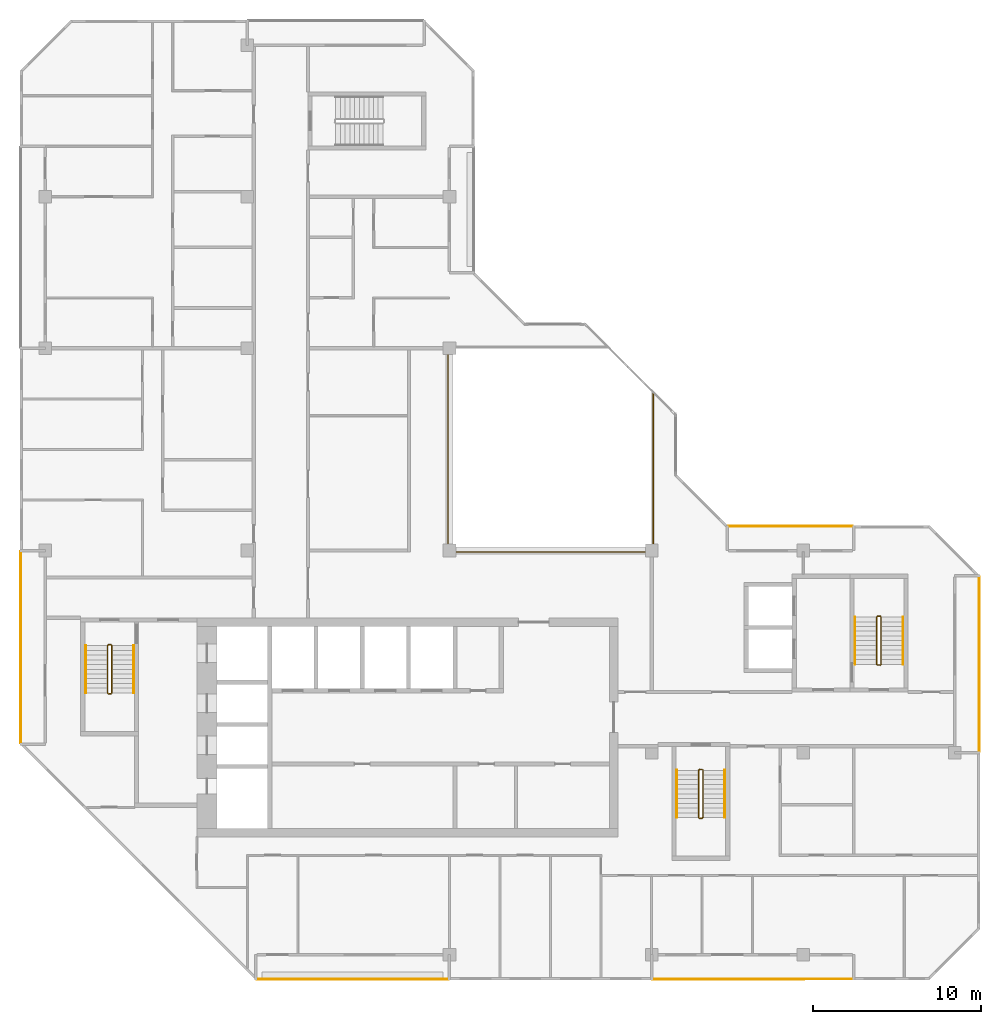
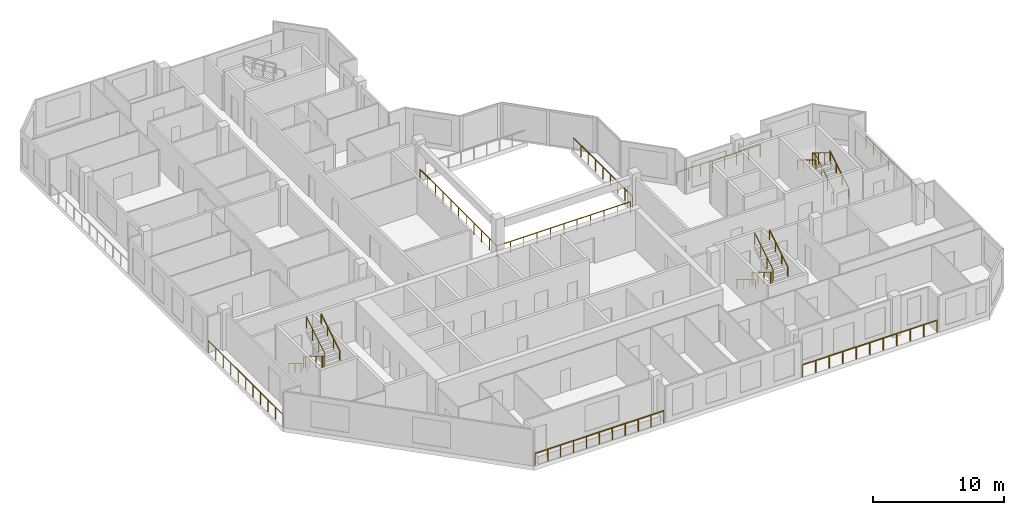
# One storey, part 11 of 12: 16 railings.
"""IFC4 building model written with IfcOpenShell, lengths in metres."""

from ifc_helpers import new_model, si_unit, direction, frame, origin, origin_2d, place, context, subcontext, project, spatial, rectangle, extrude, material, type_object, element, save


model = new_model("IFC4")

# Units and contexts
model_context = context("Model", 3, precision=1e-05, world=origin(), true_north=direction((0.0, 1.0)))
body_context = subcontext(model_context, "Body", "Model", "MODEL_VIEW")
ifc_project = project(units=[si_unit("LENGTHUNIT", "METRE"), si_unit("AREAUNIT", "SQUARE_METRE"), si_unit("VOLUMEUNIT", "CUBIC_METRE"), si_unit("PLANEANGLEUNIT", "RADIAN"), si_unit("MASSUNIT", "GRAM", prefix="KILO")], contexts=[model_context])

# Site, building, storey
site_placement = place(None, origin())
site = spatial("IfcSite", under=ifc_project, at=site_placement, CompositionType="ELEMENT")
building_placement = place(site_placement, origin())
building = spatial("IfcBuilding", under=site, at=building_placement, Name="Chenar Terraces", CompositionType="ELEMENT")
storey_placement = place(building_placement, frame((0.0, 0.0, 365.14990234375)))
storey = spatial("IfcBuildingStorey", under=building, at=storey_placement, Name="L85", CompositionType="ELEMENT", Elevation=365.14990234375)

# Railings
ifc_material_1 = material(Name="Powder-coated steel", Category="steel")
railing_type_1 = type_object("IfcRailingType", Name="Guard 1100 steel rail with glass infill", PredefinedType="GUARDRAIL", material=ifc_material_1)
railing_1_placement = place(storey_placement, frame((23.89990234375, 35.625, 0.0)))
element("IfcRailing", 1, at=railing_1_placement, inside=storey, type_object=railing_type_1, Name="Guard L85-1", PredefinedType="GUARDRAIL", context=body_context, shape_type="SweptSolid", body=[
    extrude(rectangle(XDim=0.06005859375, YDim=0.06005859375, at=origin_2d()), frame((0.0, 0.0, 1.070068359375), z_axis=(0.0, -1.0, 0.0), x_axis=(1.0, 0.0, 0.0)), (0.0, 0.0, 1.0), 11.72509765625),
    extrude(rectangle(XDim=0.06005859375, YDim=0.06005859375, at=origin_2d()), frame((0.0, -11.72509765625, 1.070068359375), z_axis=(1.0, 0.0, 0.0), x_axis=(0.0, 1.0, 0.0)), (0.0, 0.0, 1.0), 11.72509765625),
    extrude(rectangle(XDim=0.050048828125, YDim=0.050048828125, at=origin_2d()), origin(), (0.0, 0.0, 1.0), 1.0400390625),
    extrude(rectangle(XDim=0.050048828125, YDim=0.050048828125, at=origin_2d()), frame((0.0, -1.172607421875, 0.0)), (0.0, 0.0, 1.0), 1.0400390625),
    extrude(rectangle(XDim=0.050048828125, YDim=0.050048828125, at=origin_2d()), frame((0.0, -2.344970703125, 0.0)), (0.0, 0.0, 1.0), 1.0400390625),
    extrude(rectangle(XDim=0.050048828125, YDim=0.050048828125, at=origin_2d()), frame((0.0, -3.517578125, 0.0)), (0.0, 0.0, 1.0), 1.0400390625),
    extrude(rectangle(XDim=0.050048828125, YDim=0.050048828125, at=origin_2d()), frame((0.0, -4.68994140625, 0.0)), (0.0, 0.0, 1.0), 1.0400390625),
    extrude(rectangle(XDim=0.050048828125, YDim=0.050048828125, at=origin_2d()), frame((0.0, -5.862548828125, 0.0)), (0.0, 0.0, 1.0), 1.0400390625),
    extrude(rectangle(XDim=0.050048828125, YDim=0.050048828125, at=origin_2d()), frame((0.0, -7.03515625, 0.0)), (0.0, 0.0, 1.0), 1.0400390625),
    extrude(rectangle(XDim=0.050048828125, YDim=0.050048828125, at=origin_2d()), frame((0.0, -8.20751953125, 0.0)), (0.0, 0.0, 1.0), 1.0400390625),
    extrude(rectangle(XDim=0.050048828125, YDim=0.050048828125, at=origin_2d()), frame((0.0, -9.380126953125, 0.0)), (0.0, 0.0, 1.0), 1.0400390625),
    extrude(rectangle(XDim=0.050048828125, YDim=0.050048828125, at=origin_2d()), frame((0.0, -10.552490234375, 0.0)), (0.0, 0.0, 1.0), 1.0400390625),
    extrude(rectangle(XDim=0.050048828125, YDim=0.050048828125, at=origin_2d()), frame((0.0, -11.72509765625, 0.0)), (0.0, 0.0, 1.0), 1.0400390625),
    extrude(rectangle(XDim=0.050048828125, YDim=0.050048828125, at=origin_2d()), frame((1.172607421875, -11.72509765625, 0.0)), (0.0, 0.0, 1.0), 1.0400390625),
    extrude(rectangle(XDim=0.050048828125, YDim=0.050048828125, at=origin_2d()), frame((2.344970703125, -11.72509765625, 0.0)), (0.0, 0.0, 1.0), 1.0400390625),
    extrude(rectangle(XDim=0.050048828125, YDim=0.050048828125, at=origin_2d()), frame((3.517578125, -11.72509765625, 0.0)), (0.0, 0.0, 1.0), 1.0400390625),
    extrude(rectangle(XDim=0.050048828125, YDim=0.050048828125, at=origin_2d()), frame((4.68994140625, -11.72509765625, 0.0)), (0.0, 0.0, 1.0), 1.0400390625),
    extrude(rectangle(XDim=0.050048828125, YDim=0.050048828125, at=origin_2d()), frame((5.862548828125, -11.72509765625, 0.0)), (0.0, 0.0, 1.0), 1.0400390625),
    extrude(rectangle(XDim=0.050048828125, YDim=0.050048828125, at=origin_2d()), frame((7.03515625, -11.72509765625, 0.0)), (0.0, 0.0, 1.0), 1.0400390625),
    extrude(rectangle(XDim=0.050048828125, YDim=0.050048828125, at=origin_2d()), frame((8.20751953125, -11.72509765625, 0.0)), (0.0, 0.0, 1.0), 1.0400390625),
    extrude(rectangle(XDim=0.050048828125, YDim=0.050048828125, at=origin_2d()), frame((9.380126953125, -11.72509765625, 0.0)), (0.0, 0.0, 1.0), 1.0400390625),
    extrude(rectangle(XDim=0.050048828125, YDim=0.050048828125, at=origin_2d()), frame((10.552490234375, -11.72509765625, 0.0)), (0.0, 0.0, 1.0), 1.0400390625),
    extrude(rectangle(XDim=0.050048828125, YDim=0.050048828125, at=origin_2d()), frame((11.72509765625, -11.72509765625, 0.0)), (0.0, 0.0, 1.0), 1.0400390625),
])
railing_2_placement = place(storey_placement, frame((36.10009765625, 24.425048828125, 0.0)))
element("IfcRailing", 2, at=railing_2_placement, inside=storey, type_object=railing_type_1, Name="Guard L85-3", PredefinedType="GUARDRAIL", context=body_context, shape_type="SweptSolid", body=[
    extrude(rectangle(XDim=0.06005859375, YDim=0.06005859375, at=origin_2d()), frame((0.0, 0.0, 1.070068359375), z_axis=(0.0, 1.0, 0.0), x_axis=(-1.0, 0.0, 0.0)), (0.0, 0.0, 1.0), 8.974853515625),
    extrude(rectangle(XDim=0.050048828125, YDim=0.050048828125, at=origin_2d()), origin(), (0.0, 0.0, 1.0), 1.0400390625),
    extrude(rectangle(XDim=0.050048828125, YDim=0.050048828125, at=origin_2d()), frame((0.0, 1.121826171875, 0.0)), (0.0, 0.0, 1.0), 1.0400390625),
    extrude(rectangle(XDim=0.050048828125, YDim=0.050048828125, at=origin_2d()), frame((0.0, 2.24365234375, 0.0)), (0.0, 0.0, 1.0), 1.0400390625),
    extrude(rectangle(XDim=0.050048828125, YDim=0.050048828125, at=origin_2d()), frame((0.0, 3.365478515625, 0.0)), (0.0, 0.0, 1.0), 1.0400390625),
    extrude(rectangle(XDim=0.050048828125, YDim=0.050048828125, at=origin_2d()), frame((0.0, 4.4873046875, 0.0)), (0.0, 0.0, 1.0), 1.0400390625),
    extrude(rectangle(XDim=0.050048828125, YDim=0.050048828125, at=origin_2d()), frame((0.0, 5.609375, 0.0)), (0.0, 0.0, 1.0), 1.0400390625),
    extrude(rectangle(XDim=0.050048828125, YDim=0.050048828125, at=origin_2d()), frame((0.0, 6.731201171875, 0.0)), (0.0, 0.0, 1.0), 1.0400390625),
    extrude(rectangle(XDim=0.050048828125, YDim=0.050048828125, at=origin_2d()), frame((0.0, 7.85302734375, 0.0)), (0.0, 0.0, 1.0), 1.0400390625),
    extrude(rectangle(XDim=0.050048828125, YDim=0.050048828125, at=origin_2d()), frame((0.0, 8.974853515625, 0.0)), (0.0, 0.0, 1.0), 1.0400390625),
])
ifc_material_2 = material(Name="Stainless steel and glass", Category="steel")
railing_type_2 = type_object("IfcRailingType", Name="Loggia guard 1150", PredefinedType="GUARDRAIL", material=ifc_material_2)
railing_3_placement = place(storey_placement, frame((55.449951171875, 12.074951171875, 0.0)))
element("IfcRailing", 3, at=railing_3_placement, inside=storey, type_object=railing_type_2, Name="Loggia guard", PredefinedType="GUARDRAIL", context=body_context, shape_type="SweptSolid", body=[
    extrude(rectangle(XDim=0.048095703125, YDim=0.048095703125, at=origin_2d()), frame((0.0, 0.0, 1.1259765625), z_axis=(0.0, 1.0, 0.0), x_axis=(-1.0, 0.0, 0.0)), (0.0, 0.0, 1.0), 10.35009765625),
    extrude(rectangle(XDim=0.0419921875, YDim=0.0419921875, at=origin_2d()), origin(), (0.0, 0.0, 1.0), 1.101806640625),
    extrude(rectangle(XDim=0.0419921875, YDim=0.0419921875, at=origin_2d()), frame((0.0, 1.14990234375, 0.0)), (0.0, 0.0, 1.0), 1.101806640625),
    extrude(rectangle(XDim=0.0419921875, YDim=0.0419921875, at=origin_2d()), frame((0.0, 2.300048828125, 0.0)), (0.0, 0.0, 1.0), 1.101806640625),
    extrude(rectangle(XDim=0.0419921875, YDim=0.0419921875, at=origin_2d()), frame((0.0, 3.449951171875, 0.0)), (0.0, 0.0, 1.0), 1.101806640625),
    extrude(rectangle(XDim=0.0419921875, YDim=0.0419921875, at=origin_2d()), frame((0.0, 4.60009765625, 0.0)), (0.0, 0.0, 1.0), 1.101806640625),
    extrude(rectangle(XDim=0.0419921875, YDim=0.0419921875, at=origin_2d()), frame((0.0, 5.75, 0.0)), (0.0, 0.0, 1.0), 1.101806640625),
    extrude(rectangle(XDim=0.0419921875, YDim=0.0419921875, at=origin_2d()), frame((0.0, 6.900146484375, 0.0)), (0.0, 0.0, 1.0), 1.101806640625),
    extrude(rectangle(XDim=0.0419921875, YDim=0.0419921875, at=origin_2d()), frame((0.0, 8.050048828125, 0.0)), (0.0, 0.0, 1.0), 1.101806640625),
    extrude(rectangle(XDim=0.0419921875, YDim=0.0419921875, at=origin_2d()), frame((0.0, 9.2001953125, 0.0)), (0.0, 0.0, 1.0), 1.101806640625),
    extrude(rectangle(XDim=0.0419921875, YDim=0.0419921875, at=origin_2d()), frame((0.0, 10.35009765625, 0.0)), (0.0, 0.0, 1.0), 1.101806640625),
])
railing_4_placement = place(storey_placement, frame((47.925048828125, 25.449951171875, 0.0)))
element("IfcRailing", 4, at=railing_4_placement, inside=storey, type_object=railing_type_2, Name="Loggia guard", PredefinedType="GUARDRAIL", context=body_context, shape_type="SweptSolid", body=[
    extrude(rectangle(XDim=0.048095703125, YDim=0.048095703125, at=origin_2d()), frame((0.0, 0.0, 1.1259765625), z_axis=(-1.0, 0.0, 0.0), x_axis=(0.0, -1.0, 0.0)), (0.0, 0.0, 1.0), 7.35009765625),
    extrude(rectangle(XDim=0.0419921875, YDim=0.0419921875, at=origin_2d()), origin(), (0.0, 0.0, 1.0), 1.101806640625),
    extrude(rectangle(XDim=0.0419921875, YDim=0.0419921875, at=origin_2d()), frame((-1.050048828125, 0.0, 0.0)), (0.0, 0.0, 1.0), 1.101806640625),
    extrude(rectangle(XDim=0.0419921875, YDim=0.0419921875, at=origin_2d()), frame((-2.10009765625, 0.0, 0.0)), (0.0, 0.0, 1.0), 1.101806640625),
    extrude(rectangle(XDim=0.0419921875, YDim=0.0419921875, at=origin_2d()), frame((-3.150146484375, 0.0, 0.0)), (0.0, 0.0, 1.0), 1.101806640625),
    extrude(rectangle(XDim=0.0419921875, YDim=0.0419921875, at=origin_2d()), frame((-4.199951171875, 0.0, 0.0)), (0.0, 0.0, 1.0), 1.101806640625),
    extrude(rectangle(XDim=0.0419921875, YDim=0.0419921875, at=origin_2d()), frame((-5.25, 0.0, 0.0)), (0.0, 0.0, 1.0), 1.101806640625),
    extrude(rectangle(XDim=0.0419921875, YDim=0.0419921875, at=origin_2d()), frame((-6.300048828125, 0.0, 0.0)), (0.0, 0.0, 1.0), 1.101806640625),
    extrude(rectangle(XDim=0.0419921875, YDim=0.0419921875, at=origin_2d()), frame((-7.35009765625, 0.0, 0.0)), (0.0, 0.0, 1.0), 1.101806640625),
])
railing_5_placement = place(storey_placement, frame((12.574951171875, -1.449951171875, 0.0)))
element("IfcRailing", 5, at=railing_5_placement, inside=storey, type_object=railing_type_2, Name="Loggia guard", PredefinedType="GUARDRAIL", context=body_context, shape_type="SweptSolid", body=[
    extrude(rectangle(XDim=0.048095703125, YDim=0.048095703125, at=origin_2d()), frame((0.0, 0.0, 1.1259765625), z_axis=(1.0, 0.0, 0.0), x_axis=(0.0, 1.0, 0.0)), (0.0, 0.0, 1.0), 11.35009765625),
    extrude(rectangle(XDim=0.0419921875, YDim=0.0419921875, at=origin_2d()), origin(), (0.0, 0.0, 1.0), 1.101806640625),
    extrude(rectangle(XDim=0.0419921875, YDim=0.0419921875, at=origin_2d()), frame((1.135009765625, 0.0, 0.0)), (0.0, 0.0, 1.0), 1.101806640625),
    extrude(rectangle(XDim=0.0419921875, YDim=0.0419921875, at=origin_2d()), frame((2.27001953125, 0.0, 0.0)), (0.0, 0.0, 1.0), 1.101806640625),
    extrude(rectangle(XDim=0.0419921875, YDim=0.0419921875, at=origin_2d()), frame((3.405029296875, 0.0, 0.0)), (0.0, 0.0, 1.0), 1.101806640625),
    extrude(rectangle(XDim=0.0419921875, YDim=0.0419921875, at=origin_2d()), frame((4.5400390625, 0.0, 0.0)), (0.0, 0.0, 1.0), 1.101806640625),
    extrude(rectangle(XDim=0.0419921875, YDim=0.0419921875, at=origin_2d()), frame((5.675048828125, 0.0, 0.0)), (0.0, 0.0, 1.0), 1.101806640625),
    extrude(rectangle(XDim=0.0419921875, YDim=0.0419921875, at=origin_2d()), frame((6.81005859375, 0.0, 0.0)), (0.0, 0.0, 1.0), 1.101806640625),
    extrude(rectangle(XDim=0.0419921875, YDim=0.0419921875, at=origin_2d()), frame((7.945068359375, 0.0, 0.0)), (0.0, 0.0, 1.0), 1.101806640625),
    extrude(rectangle(XDim=0.0419921875, YDim=0.0419921875, at=origin_2d()), frame((9.080078125, 0.0, 0.0)), (0.0, 0.0, 1.0), 1.101806640625),
    extrude(rectangle(XDim=0.0419921875, YDim=0.0419921875, at=origin_2d()), frame((10.215087890625, 0.0, 0.0)), (0.0, 0.0, 1.0), 1.101806640625),
    extrude(rectangle(XDim=0.0419921875, YDim=0.0419921875, at=origin_2d()), frame((11.35009765625, 0.0, 0.0)), (0.0, 0.0, 1.0), 1.101806640625),
])
railing_6_placement = place(storey_placement, frame((36.074951171875, -1.449951171875, 0.0)))
element("IfcRailing", 6, at=railing_6_placement, inside=storey, type_object=railing_type_2, Name="Loggia guard", PredefinedType="GUARDRAIL", context=body_context, shape_type="SweptSolid", body=[
    extrude(rectangle(XDim=0.048095703125, YDim=0.048095703125, at=origin_2d()), frame((0.0, 0.0, 1.1259765625), z_axis=(1.0, 0.0, 0.0), x_axis=(0.0, 1.0, 0.0)), (0.0, 0.0, 1.0), 11.85009765625),
    extrude(rectangle(XDim=0.0419921875, YDim=0.0419921875, at=origin_2d()), origin(), (0.0, 0.0, 1.0), 1.101806640625),
    extrude(rectangle(XDim=0.0419921875, YDim=0.0419921875, at=origin_2d()), frame((1.18505859375, 0.0, 0.0)), (0.0, 0.0, 1.0), 1.101806640625),
    extrude(rectangle(XDim=0.0419921875, YDim=0.0419921875, at=origin_2d()), frame((2.3701171875, 0.0, 0.0)), (0.0, 0.0, 1.0), 1.101806640625),
    extrude(rectangle(XDim=0.0419921875, YDim=0.0419921875, at=origin_2d()), frame((3.554931640625, 0.0, 0.0)), (0.0, 0.0, 1.0), 1.101806640625),
    extrude(rectangle(XDim=0.0419921875, YDim=0.0419921875, at=origin_2d()), frame((4.739990234375, 0.0, 0.0)), (0.0, 0.0, 1.0), 1.101806640625),
    extrude(rectangle(XDim=0.0419921875, YDim=0.0419921875, at=origin_2d()), frame((5.925048828125, 0.0, 0.0)), (0.0, 0.0, 1.0), 1.101806640625),
    extrude(rectangle(XDim=0.0419921875, YDim=0.0419921875, at=origin_2d()), frame((7.110107421875, 0.0, 0.0)), (0.0, 0.0, 1.0), 1.101806640625),
    extrude(rectangle(XDim=0.0419921875, YDim=0.0419921875, at=origin_2d()), frame((8.295166015625, 0.0, 0.0)), (0.0, 0.0, 1.0), 1.101806640625),
    extrude(rectangle(XDim=0.0419921875, YDim=0.0419921875, at=origin_2d()), frame((9.47998046875, 0.0, 0.0)), (0.0, 0.0, 1.0), 1.101806640625),
    extrude(rectangle(XDim=0.0419921875, YDim=0.0419921875, at=origin_2d()), frame((10.6650390625, 0.0, 0.0)), (0.0, 0.0, 1.0), 1.101806640625),
    extrude(rectangle(XDim=0.0419921875, YDim=0.0419921875, at=origin_2d()), frame((11.85009765625, 0.0, 0.0)), (0.0, 0.0, 1.0), 1.101806640625),
])
railing_7_placement = place(storey_placement, frame((-1.449951171875, 23.925048828125, 0.0)))
element("IfcRailing", 7, at=railing_7_placement, inside=storey, type_object=railing_type_2, Name="Loggia guard", PredefinedType="GUARDRAIL", context=body_context, shape_type="SweptSolid", body=[
    extrude(rectangle(XDim=0.048095703125, YDim=0.048095703125, at=origin_2d()), frame((0.0, 0.0, 1.1259765625), z_axis=(0.0, -1.0, 0.0), x_axis=(1.0, 0.0, 0.0)), (0.0, 0.0, 1.0), 11.35009765625),
    extrude(rectangle(XDim=0.0419921875, YDim=0.0419921875, at=origin_2d()), origin(), (0.0, 0.0, 1.0), 1.101806640625),
    extrude(rectangle(XDim=0.0419921875, YDim=0.0419921875, at=origin_2d()), frame((0.0, -1.135009765625, 0.0)), (0.0, 0.0, 1.0), 1.101806640625),
    extrude(rectangle(XDim=0.0419921875, YDim=0.0419921875, at=origin_2d()), frame((0.0, -2.27001953125, 0.0)), (0.0, 0.0, 1.0), 1.101806640625),
    extrude(rectangle(XDim=0.0419921875, YDim=0.0419921875, at=origin_2d()), frame((0.0, -3.405029296875, 0.0)), (0.0, 0.0, 1.0), 1.101806640625),
    extrude(rectangle(XDim=0.0419921875, YDim=0.0419921875, at=origin_2d()), frame((0.0, -4.5400390625, 0.0)), (0.0, 0.0, 1.0), 1.101806640625),
    extrude(rectangle(XDim=0.0419921875, YDim=0.0419921875, at=origin_2d()), frame((0.0, -5.675048828125, 0.0)), (0.0, 0.0, 1.0), 1.101806640625),
    extrude(rectangle(XDim=0.0419921875, YDim=0.0419921875, at=origin_2d()), frame((0.0, -6.81005859375, 0.0)), (0.0, 0.0, 1.0), 1.101806640625),
    extrude(rectangle(XDim=0.0419921875, YDim=0.0419921875, at=origin_2d()), frame((0.0, -7.945068359375, 0.0)), (0.0, 0.0, 1.0), 1.101806640625),
    extrude(rectangle(XDim=0.0419921875, YDim=0.0419921875, at=origin_2d()), frame((0.0, -9.080078125, 0.0)), (0.0, 0.0, 1.0), 1.101806640625),
    extrude(rectangle(XDim=0.0419921875, YDim=0.0419921875, at=origin_2d()), frame((0.0, -10.215087890625, 0.0)), (0.0, 0.0, 1.0), 1.101806640625),
    extrude(rectangle(XDim=0.0419921875, YDim=0.0419921875, at=origin_2d()), frame((0.0, -11.35009765625, 0.0)), (0.0, 0.0, 1.0), 1.101806640625),
])
ifc_material_3 = material(Name="Powder-coated steel", Category="steel")
railing_type_3 = type_object("IfcRailingType", Name="Stair guard 1100", PredefinedType="GUARDRAIL", material=ifc_material_3)
railing_8_placement = place(storey_placement, frame((3.949951171875, 18.35009765625, 3.75)))
element("IfcRailing", 8, at=railing_8_placement, inside=storey, type_object=railing_type_3, Name="L85 ST1 stair guard 1", PredefinedType="GUARDRAIL", context=body_context, shape_type="SweptSolid", body=[
    extrude(rectangle(XDim=0.048095703125, YDim=0.048095703125, at=origin_2d()), frame((0.0, 0.0, 1.076171875), z_axis=(0.0, -0.854202870247, -0.519939858505), x_axis=(1.0, 0.0, 0.0)), (0.0, 0.0, 1.0), 3.278076171875),
    extrude(rectangle(XDim=0.048095703125, YDim=0.048095703125, at=origin_2d()), frame((0.0, -2.800048828125, -0.62841796875), z_axis=(-0.270899902878, -0.270899902878, -0.923702595667), x_axis=(0.707106781187, -0.707106781187, 0.0)), (0.0, 0.0, 1.0), 0.184814453125),
    extrude(rectangle(XDim=0.048095703125, YDim=0.048095703125, at=origin_2d()), frame((-0.050048828125, -2.85009765625, -0.798828125), z_axis=(-1.0, 0.0, 0.0), x_axis=(0.0, -1.0, 0.0)), (0.0, 0.0, 1.0), 0.14990234375),
    extrude(rectangle(XDim=0.048095703125, YDim=0.048095703125, at=origin_2d()), frame((-0.199951171875, -2.85009765625, -0.798828125), z_axis=(-0.707106781187, 0.707106781187, 0.0), x_axis=(-0.707106781187, -0.707106781187, 0.0)), (0.0, 0.0, 1.0), 0.07080078125),
    extrude(rectangle(XDim=0.048095703125, YDim=0.048095703125, at=origin_2d()), frame((-0.25, -2.800048828125, -0.798828125), z_axis=(0.0, 0.854202870247, -0.519939858505), x_axis=(-1.0, 0.0, 0.0)), (0.0, 0.0, 1.0), 3.278076171875),
    extrude(rectangle(XDim=0.048095703125, YDim=0.048095703125, at=origin_2d()), frame((-0.25, 0.0, -2.50341796875), z_axis=(0.270996696079, 0.269674760976, -0.924032636873), x_axis=(-0.705375805398, 0.708833529934, 0.0)), (0.0, 0.0, 1.0), 0.1845703125),
    extrude(rectangle(XDim=0.048095703125, YDim=0.048095703125, at=origin_2d()), frame((-0.199951171875, 0.0498046875, -2.673828125), z_axis=(1.0, 0.0, 0.0), x_axis=(0.0, 1.0, 0.0)), (0.0, 0.0, 1.0), 0.14990234375),
    extrude(rectangle(XDim=0.0419921875, YDim=0.0419921875, at=origin_2d()), origin(), (0.0, 0.0, 1.0), 1.052001953125),
    extrude(rectangle(XDim=0.0419921875, YDim=0.0419921875, at=origin_2d()), frame((0.0, -0.933349609375, -0.568115234375)), (0.0, 0.0, 1.0), 1.052001953125),
    extrude(rectangle(XDim=0.0419921875, YDim=0.0419921875, at=origin_2d()), frame((0.0, -1.86669921875, -1.13623046875)), (0.0, 0.0, 1.0), 1.052001953125),
    extrude(rectangle(XDim=0.0419921875, YDim=0.0419921875, at=origin_2d()), frame((0.0, -2.800048828125, -1.704345703125)), (0.0, 0.0, 1.0), 1.052001953125),
    extrude(rectangle(XDim=0.0419921875, YDim=0.0419921875, at=origin_2d()), frame((-0.050048828125, -2.85009765625, -1.875)), (0.0, 0.0, 1.0), 1.052001953125),
    extrude(rectangle(XDim=0.0419921875, YDim=0.0419921875, at=origin_2d()), frame((-0.199951171875, -2.85009765625, -1.875)), (0.0, 0.0, 1.0), 1.052001953125),
    extrude(rectangle(XDim=0.0419921875, YDim=0.0419921875, at=origin_2d()), frame((-0.25, -2.800048828125, -1.875)), (0.0, 0.0, 1.0), 1.052001953125),
    extrude(rectangle(XDim=0.0419921875, YDim=0.0419921875, at=origin_2d()), frame((-0.25, -1.86669921875, -2.443115234375)), (0.0, 0.0, 1.0), 1.052001953125),
    extrude(rectangle(XDim=0.0419921875, YDim=0.0419921875, at=origin_2d()), frame((-0.25, -0.933349609375, -3.01123046875)), (0.0, 0.0, 1.0), 1.052001953125),
    extrude(rectangle(XDim=0.0419921875, YDim=0.0419921875, at=origin_2d()), frame((-0.25, 0.0, -3.579345703125)), (0.0, 0.0, 1.0), 1.052001953125),
    extrude(rectangle(XDim=0.0419921875, YDim=0.0419921875, at=origin_2d()), frame((-0.199951171875, 0.0498046875, -3.75)), (0.0, 0.0, 1.0), 1.052001953125),
    extrude(rectangle(XDim=0.0419921875, YDim=0.0419921875, at=origin_2d()), frame((-0.050048828125, 0.0498046875, -3.75)), (0.0, 0.0, 1.0), 1.052001953125),
])
railing_9_placement = place(storey_placement, frame((39.050048828125, 10.949951171875, 3.75)))
element("IfcRailing", 9, at=railing_9_placement, inside=storey, type_object=railing_type_3, Name="L85 ST2 stair guard 1", PredefinedType="GUARDRAIL", context=body_context, shape_type="SweptSolid", body=[
    extrude(rectangle(XDim=0.048095703125, YDim=0.048095703125, at=origin_2d()), frame((0.0, 0.0, 1.076171875), z_axis=(0.0, -0.854202870247, -0.519939858505), x_axis=(1.0, 0.0, 0.0)), (0.0, 0.0, 1.0), 3.278076171875),
    extrude(rectangle(XDim=0.048095703125, YDim=0.048095703125, at=origin_2d()), frame((0.0, -2.800048828125, -0.62841796875), z_axis=(-0.270996696079, -0.269674760976, -0.924032636873), x_axis=(0.705375805398, -0.708833529934, 0.0)), (0.0, 0.0, 1.0), 0.1845703125),
    extrude(rectangle(XDim=0.048095703125, YDim=0.048095703125, at=origin_2d()), frame((-0.050048828125, -2.849853515625, -0.798828125), z_axis=(-1.0, 0.0, 0.0), x_axis=(0.0, -1.0, 0.0)), (0.0, 0.0, 1.0), 0.14990234375),
    extrude(rectangle(XDim=0.048095703125, YDim=0.048095703125, at=origin_2d()), frame((-0.199951171875, -2.849853515625, -0.798828125), z_axis=(-0.708833529934, 0.705375805398, 0.0), x_axis=(-0.705375805398, -0.708833529934, 0.0)), (0.0, 0.0, 1.0), 0.070556640625),
    extrude(rectangle(XDim=0.048095703125, YDim=0.048095703125, at=origin_2d()), frame((-0.25, -2.800048828125, -0.798828125), z_axis=(0.0, 0.854202870247, -0.519939858505), x_axis=(-1.0, 0.0, 0.0)), (0.0, 0.0, 1.0), 3.278076171875),
    extrude(rectangle(XDim=0.048095703125, YDim=0.048095703125, at=origin_2d()), frame((-0.25, 0.0, -2.50341796875), z_axis=(0.270899902878, 0.270899902878, -0.923702595667), x_axis=(-0.707106781187, 0.707106781187, 0.0)), (0.0, 0.0, 1.0), 0.184814453125),
    extrude(rectangle(XDim=0.048095703125, YDim=0.048095703125, at=origin_2d()), frame((-0.199951171875, 0.050048828125, -2.673828125), z_axis=(1.0, 0.0, 0.0), x_axis=(0.0, 1.0, 0.0)), (0.0, 0.0, 1.0), 0.14990234375),
    extrude(rectangle(XDim=0.0419921875, YDim=0.0419921875, at=origin_2d()), origin(), (0.0, 0.0, 1.0), 1.052001953125),
    extrude(rectangle(XDim=0.0419921875, YDim=0.0419921875, at=origin_2d()), frame((0.0, -0.933349609375, -0.568115234375)), (0.0, 0.0, 1.0), 1.052001953125),
    extrude(rectangle(XDim=0.0419921875, YDim=0.0419921875, at=origin_2d()), frame((0.0, -1.86669921875, -1.13623046875)), (0.0, 0.0, 1.0), 1.052001953125),
    extrude(rectangle(XDim=0.0419921875, YDim=0.0419921875, at=origin_2d()), frame((0.0, -2.800048828125, -1.704345703125)), (0.0, 0.0, 1.0), 1.052001953125),
    extrude(rectangle(XDim=0.0419921875, YDim=0.0419921875, at=origin_2d()), frame((-0.050048828125, -2.849853515625, -1.875)), (0.0, 0.0, 1.0), 1.052001953125),
    extrude(rectangle(XDim=0.0419921875, YDim=0.0419921875, at=origin_2d()), frame((-0.199951171875, -2.849853515625, -1.875)), (0.0, 0.0, 1.0), 1.052001953125),
    extrude(rectangle(XDim=0.0419921875, YDim=0.0419921875, at=origin_2d()), frame((-0.25, -2.800048828125, -1.875)), (0.0, 0.0, 1.0), 1.052001953125),
    extrude(rectangle(XDim=0.0419921875, YDim=0.0419921875, at=origin_2d()), frame((-0.25, -1.86669921875, -2.443115234375)), (0.0, 0.0, 1.0), 1.052001953125),
    extrude(rectangle(XDim=0.0419921875, YDim=0.0419921875, at=origin_2d()), frame((-0.25, -0.933349609375, -3.01123046875)), (0.0, 0.0, 1.0), 1.052001953125),
    extrude(rectangle(XDim=0.0419921875, YDim=0.0419921875, at=origin_2d()), frame((-0.25, 0.0, -3.579345703125)), (0.0, 0.0, 1.0), 1.052001953125),
    extrude(rectangle(XDim=0.0419921875, YDim=0.0419921875, at=origin_2d()), frame((-0.199951171875, 0.050048828125, -3.75)), (0.0, 0.0, 1.0), 1.052001953125),
    extrude(rectangle(XDim=0.0419921875, YDim=0.0419921875, at=origin_2d()), frame((-0.050048828125, 0.050048828125, -3.75)), (0.0, 0.0, 1.0), 1.052001953125),
])
railing_10_placement = place(storey_placement, frame((49.375, 17.25, 3.75)))
element("IfcRailing", 10, at=railing_10_placement, inside=storey, type_object=railing_type_3, Name="L85 ST3 stair guard 1", PredefinedType="GUARDRAIL", context=body_context, shape_type="SweptSolid", body=[
    extrude(rectangle(XDim=0.048095703125, YDim=0.048095703125, at=origin_2d()), frame((0.0, 0.0, 1.076171875), z_axis=(0.0, 0.854202870247, -0.519939858505), x_axis=(-1.0, 0.0, 0.0)), (0.0, 0.0, 1.0), 3.278076171875),
    extrude(rectangle(XDim=0.048095703125, YDim=0.048095703125, at=origin_2d()), frame((0.0, 2.800048828125, -0.62841796875), z_axis=(0.270899902878, 0.270899902878, -0.923702595667), x_axis=(-0.707106781187, 0.707106781187, 0.0)), (0.0, 0.0, 1.0), 0.184814453125),
    extrude(rectangle(XDim=0.048095703125, YDim=0.048095703125, at=origin_2d()), frame((0.050048828125, 2.85009765625, -0.798828125), z_axis=(1.0, 0.0, 0.0), x_axis=(0.0, 1.0, 0.0)), (0.0, 0.0, 1.0), 0.14990234375),
    extrude(rectangle(XDim=0.048095703125, YDim=0.048095703125, at=origin_2d()), frame((0.199951171875, 2.85009765625, -0.798828125), z_axis=(0.707106781187, -0.707106781187, 0.0), x_axis=(0.707106781187, 0.707106781187, 0.0)), (0.0, 0.0, 1.0), 0.07080078125),
    extrude(rectangle(XDim=0.048095703125, YDim=0.048095703125, at=origin_2d()), frame((0.25, 2.800048828125, -0.798828125), z_axis=(0.0, -0.854202870247, -0.519939858505), x_axis=(1.0, 0.0, 0.0)), (0.0, 0.0, 1.0), 3.278076171875),
    extrude(rectangle(XDim=0.048095703125, YDim=0.048095703125, at=origin_2d()), frame((0.25, 0.0, -2.50341796875), z_axis=(-0.270899902878, -0.270899902878, -0.923702595667), x_axis=(0.707106781187, -0.707106781187, 0.0)), (0.0, 0.0, 1.0), 0.184814453125),
    extrude(rectangle(XDim=0.048095703125, YDim=0.048095703125, at=origin_2d()), frame((0.199951171875, -0.050048828125, -2.673828125), z_axis=(-1.0, 0.0, 0.0), x_axis=(0.0, -1.0, 0.0)), (0.0, 0.0, 1.0), 0.14990234375),
    extrude(rectangle(XDim=0.0419921875, YDim=0.0419921875, at=origin_2d()), origin(), (0.0, 0.0, 1.0), 1.052001953125),
    extrude(rectangle(XDim=0.0419921875, YDim=0.0419921875, at=origin_2d()), frame((0.0, 0.933349609375, -0.568115234375)), (0.0, 0.0, 1.0), 1.052001953125),
    extrude(rectangle(XDim=0.0419921875, YDim=0.0419921875, at=origin_2d()), frame((0.0, 1.86669921875, -1.13623046875)), (0.0, 0.0, 1.0), 1.052001953125),
    extrude(rectangle(XDim=0.0419921875, YDim=0.0419921875, at=origin_2d()), frame((0.0, 2.800048828125, -1.704345703125)), (0.0, 0.0, 1.0), 1.052001953125),
    extrude(rectangle(XDim=0.0419921875, YDim=0.0419921875, at=origin_2d()), frame((0.050048828125, 2.85009765625, -1.875)), (0.0, 0.0, 1.0), 1.052001953125),
    extrude(rectangle(XDim=0.0419921875, YDim=0.0419921875, at=origin_2d()), frame((0.199951171875, 2.85009765625, -1.875)), (0.0, 0.0, 1.0), 1.052001953125),
    extrude(rectangle(XDim=0.0419921875, YDim=0.0419921875, at=origin_2d()), frame((0.25, 2.800048828125, -1.875)), (0.0, 0.0, 1.0), 1.052001953125),
    extrude(rectangle(XDim=0.0419921875, YDim=0.0419921875, at=origin_2d()), frame((0.25, 1.86669921875, -2.443115234375)), (0.0, 0.0, 1.0), 1.052001953125),
    extrude(rectangle(XDim=0.0419921875, YDim=0.0419921875, at=origin_2d()), frame((0.25, 0.933349609375, -3.01123046875)), (0.0, 0.0, 1.0), 1.052001953125),
    extrude(rectangle(XDim=0.0419921875, YDim=0.0419921875, at=origin_2d()), frame((0.25, 0.0, -3.579345703125)), (0.0, 0.0, 1.0), 1.052001953125),
    extrude(rectangle(XDim=0.0419921875, YDim=0.0419921875, at=origin_2d()), frame((0.199951171875, -0.050048828125, -3.75)), (0.0, 0.0, 1.0), 1.052001953125),
    extrude(rectangle(XDim=0.0419921875, YDim=0.0419921875, at=origin_2d()), frame((0.050048828125, -0.050048828125, -3.75)), (0.0, 0.0, 1.0), 1.052001953125),
])
ifc_material_4 = material(Name="Powder-coated steel", Category="steel")
railing_type_4 = type_object("IfcRailingType", Name="Stair handrail 900", PredefinedType="HANDRAIL", material=ifc_material_4)
railing_11_placement = place(storey_placement, frame((2.39990234375, 18.35009765625, 0.170654296875)))
element("IfcRailing", 11, at=railing_11_placement, inside=storey, type_object=railing_type_4, Name="L85 ST1 stair handrail 1", PredefinedType="HANDRAIL", context=body_context, shape_type="SweptSolid", body=[
    extrude(rectangle(XDim=0.048095703125, YDim=0.048095703125, at=origin_2d()), frame((0.0, 0.0, 0.8759765625), z_axis=(0.0, -0.854202870247, 0.519939858505), x_axis=(1.0, 0.0, 0.0)), (0.0, 0.0, 1.0), 3.278076171875),
    extrude(rectangle(XDim=0.0419921875, YDim=0.0419921875, at=origin_2d()), origin(), (0.0, 0.0, 1.0), 0.851806640625),
    extrude(rectangle(XDim=0.0419921875, YDim=0.0419921875, at=origin_2d()), frame((0.0, -0.933349609375, 0.568115234375)), (0.0, 0.0, 1.0), 0.851806640625),
    extrude(rectangle(XDim=0.0419921875, YDim=0.0419921875, at=origin_2d()), frame((0.0, -1.86669921875, 1.13623046875)), (0.0, 0.0, 1.0), 0.851806640625),
    extrude(rectangle(XDim=0.0419921875, YDim=0.0419921875, at=origin_2d()), frame((0.0, -2.800048828125, 1.704345703125)), (0.0, 0.0, 1.0), 0.851806640625),
])
railing_12_placement = place(storey_placement, frame((5.25, 15.550048828125, 2.045654296875)))
element("IfcRailing", 12, at=railing_12_placement, inside=storey, type_object=railing_type_4, Name="L85 ST1 stair handrail 2", PredefinedType="HANDRAIL", context=body_context, shape_type="SweptSolid", body=[
    extrude(rectangle(XDim=0.048095703125, YDim=0.048095703125, at=origin_2d()), frame((0.0, 0.0, 0.8759765625), z_axis=(0.0, 0.854202870247, 0.519939858505), x_axis=(-1.0, 0.0, 0.0)), (0.0, 0.0, 1.0), 3.278076171875),
    extrude(rectangle(XDim=0.0419921875, YDim=0.0419921875, at=origin_2d()), origin(), (0.0, 0.0, 1.0), 0.851806640625),
    extrude(rectangle(XDim=0.0419921875, YDim=0.0419921875, at=origin_2d()), frame((0.0, 0.933349609375, 0.568115234375)), (0.0, 0.0, 1.0), 0.851806640625),
    extrude(rectangle(XDim=0.0419921875, YDim=0.0419921875, at=origin_2d()), frame((0.0, 1.86669921875, 1.13623046875)), (0.0, 0.0, 1.0), 0.851806640625),
    extrude(rectangle(XDim=0.0419921875, YDim=0.0419921875, at=origin_2d()), frame((0.0, 2.800048828125, 1.704345703125)), (0.0, 0.0, 1.0), 0.851806640625),
])
railing_13_placement = place(storey_placement, frame((37.5, 10.949951171875, 0.170654296875)))
element("IfcRailing", 13, at=railing_13_placement, inside=storey, type_object=railing_type_4, Name="L85 ST2 stair handrail 1", PredefinedType="HANDRAIL", context=body_context, shape_type="SweptSolid", body=[
    extrude(rectangle(XDim=0.048095703125, YDim=0.048095703125, at=origin_2d()), frame((0.0, 0.0, 0.8759765625), z_axis=(0.0, -0.854202870247, 0.519939858505), x_axis=(1.0, 0.0, 0.0)), (0.0, 0.0, 1.0), 3.278076171875),
    extrude(rectangle(XDim=0.0419921875, YDim=0.0419921875, at=origin_2d()), origin(), (0.0, 0.0, 1.0), 0.851806640625),
    extrude(rectangle(XDim=0.0419921875, YDim=0.0419921875, at=origin_2d()), frame((0.0, -0.933349609375, 0.568115234375)), (0.0, 0.0, 1.0), 0.851806640625),
    extrude(rectangle(XDim=0.0419921875, YDim=0.0419921875, at=origin_2d()), frame((0.0, -1.86669921875, 1.13623046875)), (0.0, 0.0, 1.0), 0.851806640625),
    extrude(rectangle(XDim=0.0419921875, YDim=0.0419921875, at=origin_2d()), frame((0.0, -2.800048828125, 1.704345703125)), (0.0, 0.0, 1.0), 0.851806640625),
])
for number, where, name in (
    (14, (40.35009765625, 8.14990234375, 2.045654296875), "L85 ST2 stair handrail 2"),
    (15, (50.925048828125, 17.25, 0.170654296875), "L85 ST3 stair handrail 1"),
):
    element("IfcRailing", number, at=place(storey_placement, frame(where)), inside=storey, type_object=railing_type_4, Name=name, PredefinedType="HANDRAIL", context=body_context, shape_type="SweptSolid", body=[
        extrude(rectangle(XDim=0.048095703125, YDim=0.048095703125, at=origin_2d()), frame((0.0, 0.0, 0.8759765625), z_axis=(0.0, 0.854202870247, 0.519939858505), x_axis=(-1.0, 0.0, 0.0)), (0.0, 0.0, 1.0), 3.278076171875),
        extrude(rectangle(XDim=0.0419921875, YDim=0.0419921875, at=origin_2d()), origin(), (0.0, 0.0, 1.0), 0.851806640625),
        extrude(rectangle(XDim=0.0419921875, YDim=0.0419921875, at=origin_2d()), frame((0.0, 0.933349609375, 0.568115234375)), (0.0, 0.0, 1.0), 0.851806640625),
        extrude(rectangle(XDim=0.0419921875, YDim=0.0419921875, at=origin_2d()), frame((0.0, 1.86669921875, 1.13623046875)), (0.0, 0.0, 1.0), 0.851806640625),
        extrude(rectangle(XDim=0.0419921875, YDim=0.0419921875, at=origin_2d()), frame((0.0, 2.800048828125, 1.704345703125)), (0.0, 0.0, 1.0), 0.851806640625),
    ])
railing_14_placement = place(storey_placement, frame((48.074951171875, 20.050048828125, 2.045654296875)))
element("IfcRailing", 16, at=railing_14_placement, inside=storey, type_object=railing_type_4, Name="L85 ST3 stair handrail 2", PredefinedType="HANDRAIL", context=body_context, shape_type="SweptSolid", body=[
    extrude(rectangle(XDim=0.048095703125, YDim=0.048095703125, at=origin_2d()), frame((0.0, 0.0, 0.8759765625), z_axis=(0.0, -0.854202870247, 0.519939858505), x_axis=(1.0, 0.0, 0.0)), (0.0, 0.0, 1.0), 3.278076171875),
    extrude(rectangle(XDim=0.0419921875, YDim=0.0419921875, at=origin_2d()), origin(), (0.0, 0.0, 1.0), 0.851806640625),
    extrude(rectangle(XDim=0.0419921875, YDim=0.0419921875, at=origin_2d()), frame((0.0, -0.933349609375, 0.568115234375)), (0.0, 0.0, 1.0), 0.851806640625),
    extrude(rectangle(XDim=0.0419921875, YDim=0.0419921875, at=origin_2d()), frame((0.0, -1.86669921875, 1.13623046875)), (0.0, 0.0, 1.0), 0.851806640625),
    extrude(rectangle(XDim=0.0419921875, YDim=0.0419921875, at=origin_2d()), frame((0.0, -2.800048828125, 1.704345703125)), (0.0, 0.0, 1.0), 0.851806640625),
])

save(model, "model.ifc")
